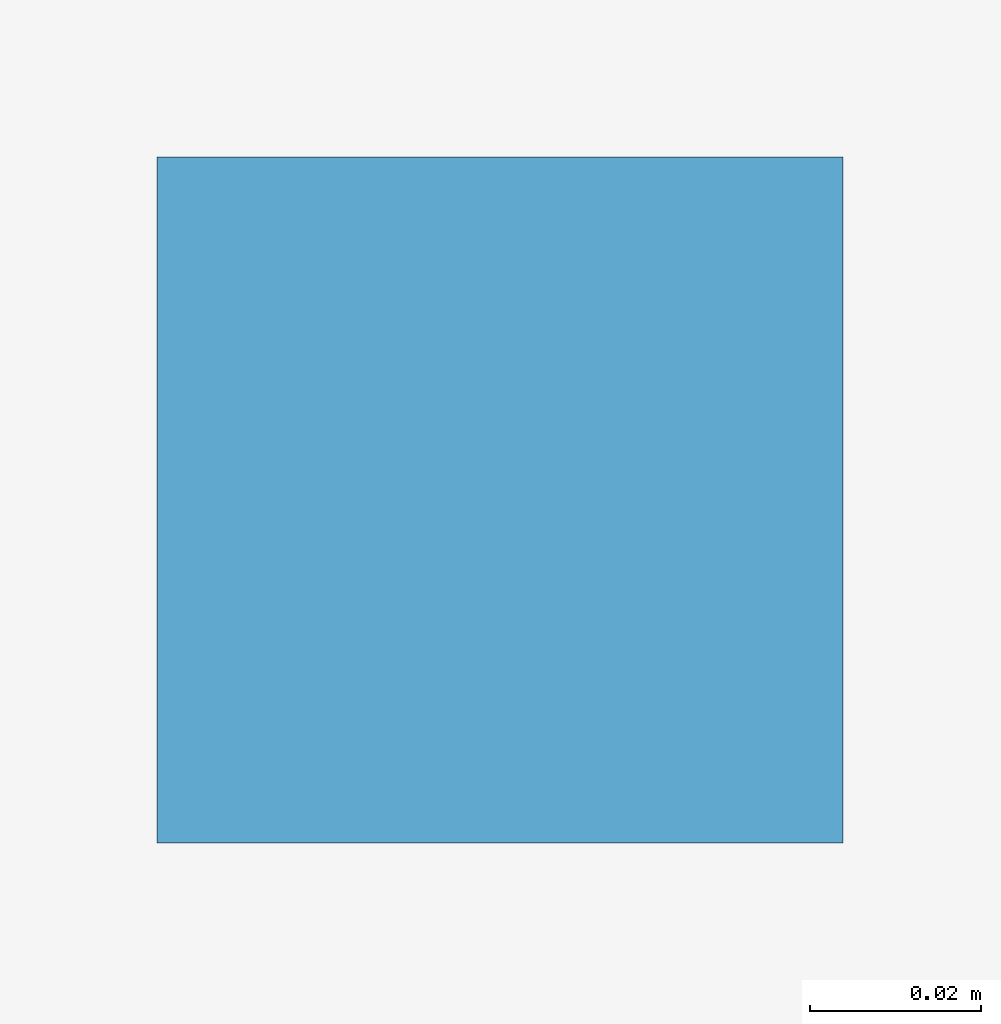
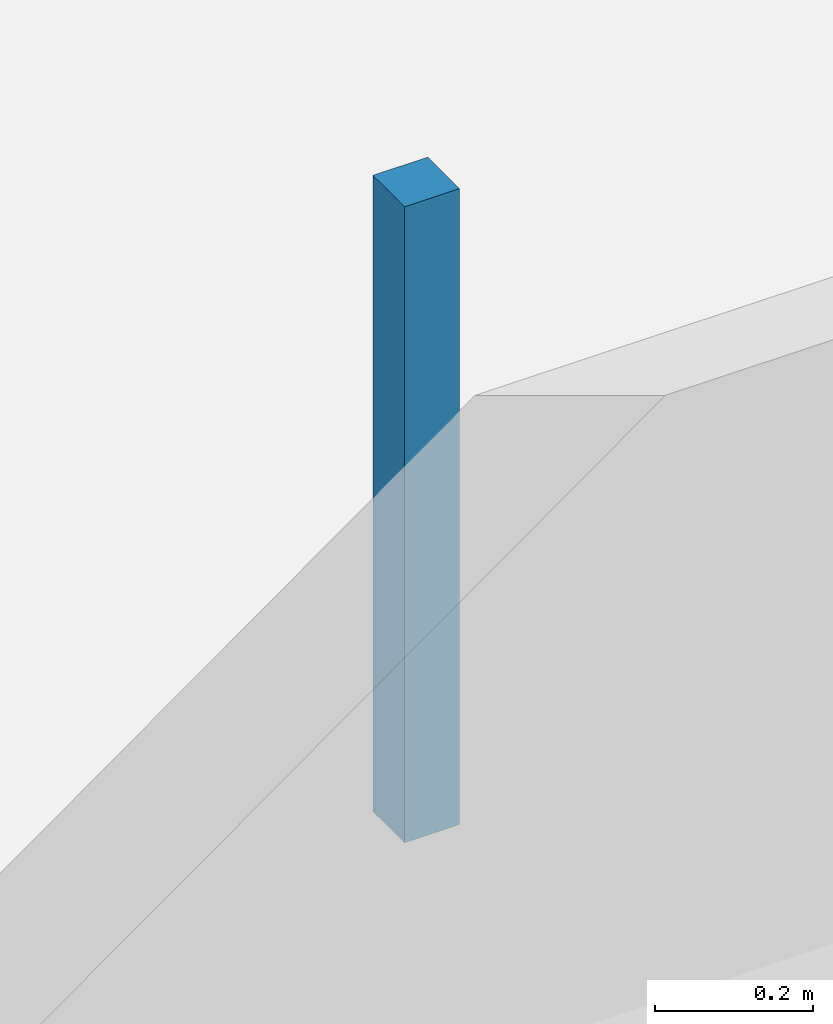
# One storey, part 11 of 16: 1 discrete accessory.
"""IFC4 building model written with IfcOpenShell, lengths in metres."""

import ifcopenshell
import ifcopenshell.guid

model = None  # the IFC model being written
_history = None  # IfcOwnerHistory: only IFC2X3 demands one
_inside = {}  # id of a spatial element -> (the spatial element, [elements in it])
_under = {}  # id of a project, library or spatial element -> (it, [spatial elements below it])
_declared = {}  # id of a project -> (the project, [libraries it declares])
_typed = {}  # id of a type object -> (the type object, [elements of that type])
_made_of = {}  # id of a material, layer set ... -> (it, [elements and type objects made of it])


def new_model(schema):
    """Start an empty IFC model of exactly this schema.

    Asked for "IFC4X3", IfcOpenShell would pick the latest addendum, in which some entities
    have other attributes; the version numbers below select the first issue.
    IFC2X3 requires an IfcOwnerHistory on every rooted entity: one is made here for all.
    """
    global model, _history
    if schema == "IFC4X3":
        model = ifcopenshell.file(schema_version=(4, 3, 0, 0))
    else:
        model = ifcopenshell.file(schema=schema)
    _inside.clear()
    _under.clear()
    _declared.clear()
    _typed.clear()
    _made_of.clear()
    _history = None
    if model.schema == "IFC2X3":
        org = make("IfcOrganization", Name="unknown")
        user = make(
            "IfcPersonAndOrganization",
            ThePerson=make("IfcPerson", FamilyName="unknown"),
            TheOrganization=org,
        )
        app = make(
            "IfcApplication",
            ApplicationDeveloper=org,
            Version="unknown",
            ApplicationFullName="unknown",
            ApplicationIdentifier="unknown",
        )
        _history = make(
            "IfcOwnerHistory",
            OwningUser=user,
            OwningApplication=app,
            ChangeAction="ADDED",
            CreationDate=0,
        )
    return model


def make(cls, **values):
    """One entity of the class cls with the attributes given. An attribute that is None is left unset."""
    return model.create_entity(
        cls, **{name: value for name, value in values.items() if value is not None}
    )


def rooted(cls, **values):
    """An entity with a GlobalId (a new one), such as an element, a storey or a relation."""
    return make(cls, GlobalId=ifcopenshell.guid.new(), OwnerHistory=_history, **values)


def si_unit(unit_type, name, prefix=None):
    """IfcSIUnit, for example si_unit("LENGTHUNIT", "METRE", prefix="MILLI")."""
    return make("IfcSIUnit", UnitType=unit_type, Prefix=prefix, Name=name)


def assignment(units):
    """IfcUnitAssignment: the units of a project."""
    return None if units is None else make("IfcUnitAssignment", Units=units)


def point(xyz):
    """IfcCartesianPoint."""
    return None if xyz is None else make("IfcCartesianPoint", Coordinates=xyz)


def direction(xyz):
    """IfcDirection."""
    return None if xyz is None else make("IfcDirection", DirectionRatios=xyz)


def frame(location, z_axis=None, x_axis=None):
    """IfcAxis2Placement3D, a coordinate frame: its origin and axes. An axis left out is left unset."""
    return make(
        "IfcAxis2Placement3D",
        Location=point(location),
        Axis=direction(z_axis),
        RefDirection=direction(x_axis),
    )


def frame_2d(location, x_axis=None):
    """IfcAxis2Placement2D, a coordinate frame in the plane: its origin and x axis."""
    return make(
        "IfcAxis2Placement2D", Location=point(location), RefDirection=direction(x_axis)
    )


def origin():
    """The frame at (0, 0, 0) with its axes left unset."""
    return frame((0.0, 0.0, 0.0))


def origin_2d():
    """The frame at (0, 0) in the plane with its x axis left unset."""
    return frame_2d((0.0, 0.0))


def place(relative_to, where):
    """IfcLocalPlacement: puts the frame where relative to a parent placement (None: the world)."""
    return make(
        "IfcLocalPlacement", PlacementRelTo=relative_to, RelativePlacement=where
    )


def context(
    kind, dimensions, precision=None, world=None, true_north=None, identifier=None
):
    """IfcGeometricRepresentationContext, for example the 3D "Model" context."""
    return make(
        "IfcGeometricRepresentationContext",
        ContextIdentifier=identifier,
        ContextType=kind,
        CoordinateSpaceDimension=dimensions,
        Precision=precision,
        WorldCoordinateSystem=world,
        TrueNorth=true_north,
    )


def subcontext(parent, identifier, kind, view, scale=None):
    """IfcGeometricRepresentationSubContext, for example "Body" below "Model"."""
    return make(
        "IfcGeometricRepresentationSubContext",
        ContextIdentifier=identifier,
        ContextType=kind,
        ParentContext=parent,
        TargetScale=scale,
        TargetView=view,
    )


def project(units=None, contexts=None):
    """IfcProject with its units and contexts."""
    return rooted(
        "IfcProject",
        Name="project",
        RepresentationContexts=contexts,
        UnitsInContext=assignment(units),
    )


def spatial(cls, under=None, at=None, **own):
    """A site, building, storey or space (cls), placed at a placement, below another one or the project."""
    s = rooted(cls, ObjectPlacement=at, **own)
    if under is not None:
        _under.setdefault(under.id(), (under, []))[1].append(s)
    return s


def profile(cls, at=None, kind="AREA", **sizes):
    """A parametric profile (cls). Its sizes go by their IFC names, for example OverallWidth=200.0."""
    return make(cls, ProfileType=kind, Position=at, **sizes)


def rectangle(**sizes):
    """IfcRectangleProfileDef."""
    return profile("IfcRectangleProfileDef", **sizes)


def extrude(swept, where, along, depth):
    """IfcExtrudedAreaSolid: the profile swept, set in the frame where, extruded along a direction by depth."""
    return make(
        "IfcExtrudedAreaSolid",
        SweptArea=swept,
        Position=where,
        ExtrudedDirection=direction(along),
        Depth=depth,
    )


def shape(context_of_items, identifier, shape_type, items):
    """IfcShapeRepresentation: the items that make up one representation, for example the "Body"."""
    return make(
        "IfcShapeRepresentation",
        ContextOfItems=context_of_items,
        RepresentationIdentifier=identifier,
        RepresentationType=shape_type,
        Items=items,
    )


def source(mapping_origin, context_of_items, identifier, shape_type, items):
    """IfcRepresentationMap: a shape defined once, which mapped items show again and again."""
    return make(
        "IfcRepresentationMap",
        MappingOrigin=mapping_origin,
        MappedRepresentation=shape(context_of_items, identifier, shape_type, items),
    )


def transform(
    local_origin,
    x_axis=None,
    y_axis=None,
    z_axis=None,
    scale=None,
    scale2=None,
    scale3=None,
    uniform=True,
):
    """IfcCartesianTransformationOperator3D, or its non-uniform kind. x_axis, y_axis, z_axis: its Axis1, 2, 3."""
    if uniform:
        return make(
            "IfcCartesianTransformationOperator3D",
            Axis1=direction(x_axis),
            Axis2=direction(y_axis),
            LocalOrigin=point(local_origin),
            Scale=scale,
            Axis3=direction(z_axis),
        )
    return make(
        "IfcCartesianTransformationOperator3DnonUniform",
        Axis1=direction(x_axis),
        Axis2=direction(y_axis),
        LocalOrigin=point(local_origin),
        Scale=scale,
        Axis3=direction(z_axis),
        Scale2=scale2,
        Scale3=scale3,
    )


def mapped(mapping_source, mapping_target):
    """IfcMappedItem: shows the shape of a source again, moved by a transform."""
    return make(
        "IfcMappedItem", MappingSource=mapping_source, MappingTarget=mapping_target
    )


def material(Name=None, Category=None):
    """IfcMaterial."""
    return make("IfcMaterial", Name=Name, Category=Category)


def made_of(thing, what):
    """Note that an element or type object is made of a material, layer set ...; save() writes the relation."""
    if what is not None:
        _made_of.setdefault(what.id(), (what, []))[1].append(thing)
    return thing


def type_object(cls, material=None, **own):
    """A type object (cls), such as IfcWallType, which elements share."""
    return made_of(rooted(cls, **own), material)


def element(
    cls,
    number,
    at=None,
    inside=None,
    cuts=None,
    type_object=None,
    material=None,
    context=None,
    identifier="Body",
    shape_type=None,
    held_by="IfcProductDefinitionShape",
    body=None,
    shapes=None,
    **own,
):
    """One element of the class cls, such as IfcWall. Its Tag is "e" and its number.

    at: its placement. inside: the storey or other place that contains it. cuts: it is an
    opening in that element (IfcRelVoidsElement). A single representation is given by context,
    identifier, shape_type and body (its items); several are given by shapes. held_by: the class
    of the entity that holds the representations. save() writes the other relations.
    """
    e = rooted(cls, Tag="e%d" % number, ObjectPlacement=at, **own)
    if body is not None:
        shapes = [shape(context, identifier, shape_type, body)]
    if shapes is not None:
        e.Representation = make(held_by, Representations=shapes)
    if inside is not None:
        _inside.setdefault(inside.id(), (inside, []))[1].append(e)
    if cuts is not None:
        rooted(
            "IfcRelVoidsElement", RelatingBuildingElement=cuts, RelatedOpeningElement=e
        )
    if type_object is not None:
        _typed.setdefault(type_object.id(), (type_object, []))[1].append(e)
    return made_of(e, material)


def aggregate(whole, parts):
    """IfcRelAggregates: a whole, such as a stair, and the parts it consists of."""
    return rooted("IfcRelAggregates", RelatingObject=whole, RelatedObjects=parts)


def save(model, path):
    """Write the relations noted so far, then the file.

    IfcRelAggregates (storeys below a building ...), IfcRelContainedInSpatialStructure (elements
    in a storey), IfcRelDefinesByType, IfcRelAssociatesMaterial and IfcRelDeclares: one each for
    every whole, place, type object, material and project.
    """
    for whole, parts in _under.values():
        aggregate(whole, parts)
    for where, things in _inside.values():
        rooted(
            "IfcRelContainedInSpatialStructure",
            RelatedElements=things,
            RelatingStructure=where,
        )
    for kind, things in _typed.values():
        rooted("IfcRelDefinesByType", RelatedObjects=things, RelatingType=kind)
    for what, things in _made_of.values():
        rooted("IfcRelAssociatesMaterial", RelatedObjects=things, RelatingMaterial=what)
    for by, libraries in _declared.values():
        rooted("IfcRelDeclares", RelatingContext=by, RelatedDefinitions=libraries)
    model.write(path)


model = new_model("IFC4")

# Units and contexts
model_context = context("Model", 3, precision=1e-05, world=origin(), true_north=direction((0.0, 1.0)))
body_context = subcontext(model_context, "Body", "Model", "MODEL_VIEW")
ifc_project = project(units=[si_unit("LENGTHUNIT", "METRE"), si_unit("AREAUNIT", "SQUARE_METRE"), si_unit("VOLUMEUNIT", "CUBIC_METRE"), si_unit("PLANEANGLEUNIT", "RADIAN"), si_unit("MASSUNIT", "GRAM", prefix="KILO")], contexts=[model_context])

# Site, building, storey
site_placement = place(None, origin())
site = spatial("IfcSite", under=ifc_project, at=site_placement, CompositionType="ELEMENT")
building_placement = place(site_placement, origin())
building = spatial("IfcBuilding", under=site, at=building_placement, Name="Giltprow Tower", CompositionType="ELEMENT")
storey_placement = place(building_placement, frame((0.0, 0.0, 87.39990234375)))
storey = spatial("IfcBuildingStorey", under=building, at=storey_placement, Name="L21", CompositionType="ELEMENT", Elevation=87.39990234375)

# Discrete accessory
ifc_material = material(Name="Structural steel Q355B", Category="steel")
discrete_accessory_type = type_object("IfcDiscreteAccessoryType", Name="ACC-CLG-HANGER", PredefinedType="BRACKET", material=ifc_material)
shared_shape = source(origin(), body_context, "Body", "SweptSolid", [
    extrude(rectangle(XDim=0.080078125, YDim=0.080078125, at=origin_2d()), origin(), (0.0, 0.0, 1.0), 0.97998046875),
])
discrete_accessory_placement = place(storey_placement, frame((25.39990234375, 20.51806640625, 2.72021484375), z_axis=(0.0, 0.0, 1.0), x_axis=(1.0, 0.0, 0.0)))
element("IfcDiscreteAccessory", 1, at=discrete_accessory_placement, inside=storey, type_object=discrete_accessory_type, Name="L21 Office Acoustic Ceiling Suspension Hanger", PredefinedType="BRACKET", context=body_context, shape_type="MappedRepresentation", body=[
    mapped(shared_shape, transform((0.0, 0.0, 0.0), x_axis=(1.0, 0.0, 0.0), y_axis=(0.0, 1.0, 0.0), z_axis=(0.0, 0.0, 1.0), scale=1.0)),
])

save(model, "model.ifc")
